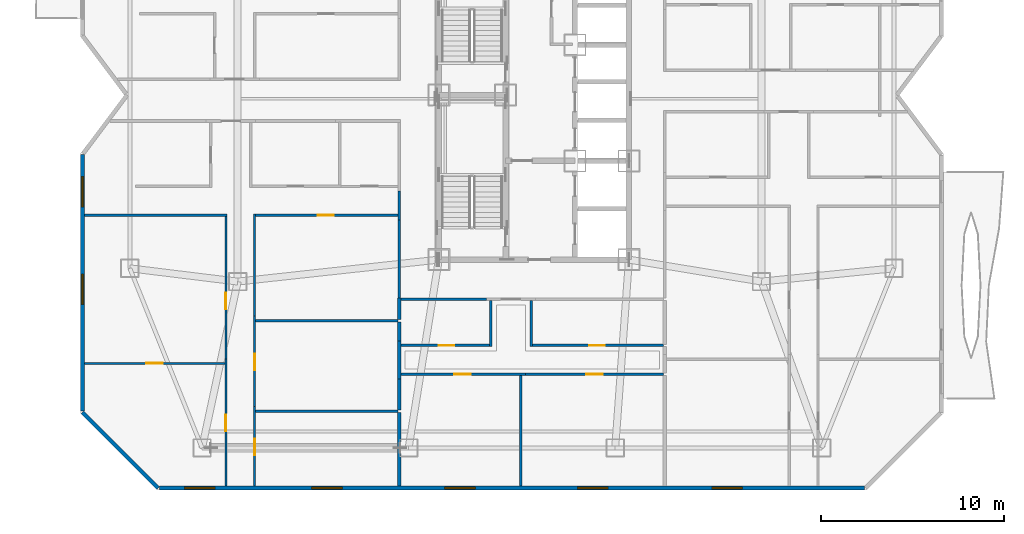
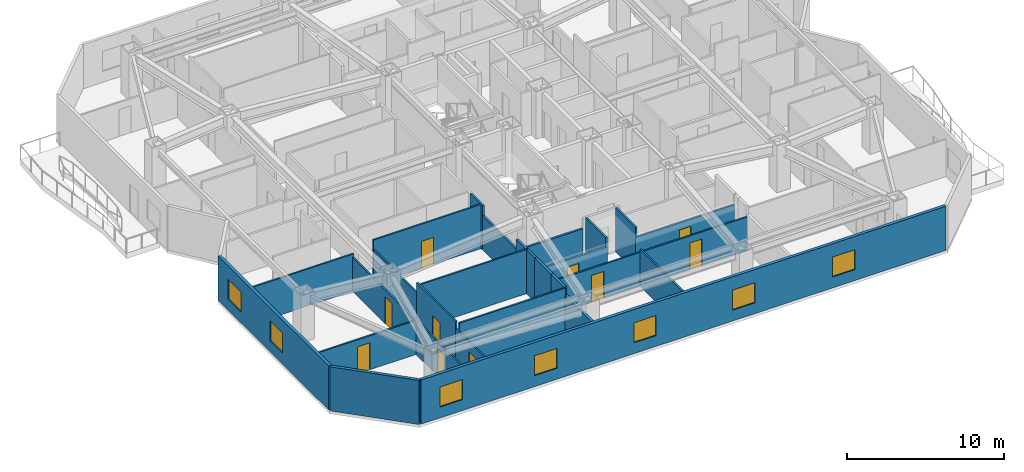
# One storey, part 7 of 15: 28 walls, 10 doors, 7 windows, 17 openings.
"""IFC4 building model written with IfcOpenShell, lengths in metres."""

from ifc_helpers import new_model, si_unit, direction, frame, frame_2d, origin, place, context, subcontext, project, spatial, rectangle, extrude, material, layer, layer_set, type_object, element, fill, save


model = new_model("IFC4")

# Units and contexts
model_context = context("Model", 3, precision=1e-05, world=origin(), true_north=direction((0.0, 1.0)))
body_context = subcontext(model_context, "Body", "Model", "MODEL_VIEW")
ifc_project = project(units=[si_unit("LENGTHUNIT", "METRE"), si_unit("AREAUNIT", "SQUARE_METRE"), si_unit("VOLUMEUNIT", "CUBIC_METRE"), si_unit("PLANEANGLEUNIT", "RADIAN"), si_unit("MASSUNIT", "GRAM", prefix="KILO")], contexts=[model_context])

# Site, building, storey
site_placement = place(None, origin())
site = spatial("IfcSite", under=ifc_project, at=site_placement, CompositionType="ELEMENT")
building_placement = place(site_placement, origin())
building = spatial("IfcBuilding", under=site, at=building_placement, Name="Khamvora Tower", CompositionType="ELEMENT")
storey_placement = place(building_placement, frame((0.0, 0.0, 101.89990234375)))
storey = spatial("IfcBuildingStorey", under=building, at=storey_placement, Name="L25", CompositionType="ELEMENT", Elevation=101.89990234375)

# Walls
ifc_material_1 = material(Name="Fire-Rated Drywall and Steel Stud", Category="steel")
ifc_layer_1 = layer(ifc_material_1, 0.14990234375)
ifc_layer_set_1 = layer_set([ifc_layer_1], Name="Fire-Rated Drywall and Steel Stud")
wall_type_1 = type_object("IfcWallType", Name="WAL-CORR-150", PredefinedType="STANDARD", material=ifc_layer_set_1)
wall_1_placement = place(storey_placement, frame((26.8349609375, 21.176025390625, 0.0), z_axis=(0.0, 0.0, 1.0), x_axis=(0.0, 1.0, 0.0)))
element("IfcWall", 1, at=wall_1_placement, inside=storey, type_object=wall_type_1, Name="L25 interior partition wall 006", PredefinedType="STANDARD", context=body_context, shape_type="SweptSolid", body=[
    extrude(rectangle(XDim=1.580078125, YDim=0.14990234375, at=frame_2d((0.7900390625, 0.0))), origin(), (0.0, 0.0, 1.0), 3.43017578125),
])
wall_2_placement = place(storey_placement, frame((26.8349609375, 16.89990234375, 0.0), z_axis=(0.0, 0.0, 1.0), x_axis=(0.0, 1.0, 0.0)))
element("IfcWall", 2, at=wall_2_placement, inside=storey, type_object=wall_type_1, Name="L25 interior partition wall 010", PredefinedType="STANDARD", context=body_context, shape_type="SweptSolid", body=[
    extrude(rectangle(XDim=4.276123046875, YDim=0.14990234375, at=frame_2d((2.13818359375, 0.0))), origin(), (0.0, 0.0, 1.0), 2.647216796875),
])
wall_3_placement = place(storey_placement, frame((31.60107421875, 16.8349609375, 0.0), z_axis=(0.0, 0.0, 1.0), x_axis=(-1.0, 0.0, 0.0)))
element("IfcWall", 3, at=wall_3_placement, inside=storey, type_object=wall_type_1, Name="L25 interior partition wall 018", PredefinedType="STANDARD", context=body_context, shape_type="SweptSolid", body=[
    extrude(rectangle(XDim=4.701171875, YDim=0.14990234375, at=frame_2d((2.3505859375, 0.0))), origin(), (0.0, 0.0, 1.0), 2.647216796875),
])
ifc_material_2 = material(Name="Acoustic Double-Stud Fire Wall", Category="gypsum")
ifc_layer_2 = layer(ifc_material_2, 0.179931640625)
ifc_layer_set_2 = layer_set([ifc_layer_2], Name="Acoustic Double-Stud Fire Wall")
wall_type_2 = type_object("IfcWallType", Name="WAL-CORR-180", PredefinedType="STANDARD", material=ifc_layer_set_2)
wall_4_placement = place(storey_placement, frame((26.8349609375, 10.638916015625, 0.0), z_axis=(0.0, 0.0, 1.0), x_axis=(0.0, -1.0, 0.0)))
element("IfcWall", 4, at=wall_4_placement, inside=storey, type_object=wall_type_2, Name="L25 interior partition wall 051", PredefinedType="STANDARD", context=body_context, shape_type="SweptSolid", body=[
    extrude(rectangle(XDim=4.02685546875, YDim=0.179931640625, at=frame_2d((2.013427734375, 0.0))), origin(), (0.0, 0.0, 1.0), 2.8759765625),
])
wall_5_placement = place(storey_placement, frame((26.8349609375, 14.553955078125, 0.0), z_axis=(0.0, 0.0, 1.0), x_axis=(0.0, -1.0, 0.0)))
element("IfcWall", 5, at=wall_5_placement, inside=storey, type_object=wall_type_2, Name="L25 interior partition wall 053", PredefinedType="STANDARD", context=body_context, shape_type="SweptSolid", body=[
    extrude(rectangle(XDim=2.077880859375, YDim=0.179931640625, at=frame_2d((1.0390625, 0.0))), origin(), (0.0, 0.0, 1.0), 3.43017578125),
])
wall_6_placement = place(storey_placement, frame((26.8349609375, 15.589111328125, 0.0), z_axis=(0.0, 0.0, 1.0), x_axis=(0.0, -1.0, 0.0)))
element("IfcWall", 6, at=wall_6_placement, inside=storey, type_object=wall_type_2, Name="L25 interior partition wall 054", PredefinedType="STANDARD", context=body_context, shape_type="SweptSolid", body=[
    extrude(rectangle(XDim=1.03515625, YDim=0.179931640625, at=frame_2d((0.517578125, 0.0))), origin(), (0.0, 0.0, 1.0), 3.43017578125),
])
wall_7_placement = place(storey_placement, frame((26.8349609375, 12.47607421875, 0.0), z_axis=(0.0, 0.0, 1.0), x_axis=(0.0, -1.0, 0.0)))
element("IfcWall", 7, at=wall_7_placement, inside=storey, type_object=wall_type_2, Name="L25 interior partition wall 055", PredefinedType="STANDARD", context=body_context, shape_type="SweptSolid", body=[
    extrude(rectangle(XDim=1.70703125, YDim=0.179931640625, at=frame_2d((0.853515625, 0.0))), origin(), (0.0, 0.0, 1.0), 3.43017578125),
])
wall_8_placement = place(storey_placement, frame((26.8349609375, 16.89990234375, 0.0), z_axis=(0.0, 0.0, 1.0), x_axis=(0.0, -1.0, 0.0)))
element("IfcWall", 8, at=wall_8_placement, inside=storey, type_object=wall_type_2, Name="L25 interior partition wall 056", PredefinedType="STANDARD", context=body_context, shape_type="SweptSolid", body=[
    extrude(rectangle(XDim=1.180908203125, YDim=0.179931640625, at=frame_2d((0.59033203125, 0.0))), origin(), (0.0, 0.0, 1.0), 3.43017578125),
])
ifc_material_3 = material(Name="Precast concrete C40/50", Category="concrete")
ifc_layer_3 = layer(ifc_material_3, 0.219970703125)
ifc_layer_set_3 = layer_set([ifc_layer_3], Name="Precast concrete C40/50")
wall_type_3 = type_object("IfcWallType", Name="WAL-EXT-220", PredefinedType="STANDARD", material=ifc_layer_set_3)
wall_9_placement = place(storey_placement, frame((13.64599609375, 6.510009765625, 0.0), z_axis=(0.0, 0.0, 1.0), x_axis=(-0.707106781187, 0.707106781187, 0.0)))
element("IfcWall", 9, at=wall_9_placement, inside=storey, type_object=wall_type_3, Name="L25 exterior facade wall 01.1", PredefinedType="STANDARD", context=body_context, shape_type="SweptSolid", body=[
    extrude(rectangle(XDim=5.84912109375, YDim=0.219970703125, at=frame_2d((2.924560546875, 0.0))), origin(), (0.0, 0.0, 1.0), 3.43017578125),
])

# Wall, openings, windows
wall_10_placement = place(storey_placement, frame((9.510009765625, 10.717041015625, 0.0), z_axis=(0.0, 0.0, 1.0), x_axis=(0.0, 1.0, 0.0)))
wall_10 = element("IfcWall", 10, at=wall_10_placement, inside=storey, type_object=wall_type_3, Name="L25 exterior facade wall 02.1", PredefinedType="STANDARD", context=body_context, shape_type="SweptSolid", body=[
    extrude(rectangle(XDim=14.0458984375, YDim=0.219970703125, at=frame_2d((7.02294921875, 0.0))), origin(), (0.0, 0.0, 1.0), 3.43017578125),
])
opening_1_placement = place(wall_10_placement, frame((11.173095703125, 0.0, 0.85009765625)))
opening_1 = element("IfcOpeningElement", 11, at=opening_1_placement, cuts=wall_10, Name="Opening WN-06", PredefinedType="OPENING", context=body_context, shape_type="SweptSolid", body=[
    extrude(rectangle(XDim=1.64990234375, YDim=1.550048828125, at=frame_2d((0.824951171875, 0.77490234375))), frame((0.0, 0.119873046875, 0.0), z_axis=(0.0, -1.0, 0.0), x_axis=(1.0, 0.0, 0.0)), (0.0, 0.0, 1.0), 0.239990234375),
])
opening_2_placement = place(wall_10_placement, frame((5.8310546875, 0.0, 0.85009765625)))
opening_2 = element("IfcOpeningElement", 12, at=opening_2_placement, cuts=wall_10, Name="Opening WN-06", PredefinedType="OPENING", context=body_context, shape_type="SweptSolid", body=[
    extrude(rectangle(XDim=1.64990234375, YDim=1.550048828125, at=frame_2d((0.824951171875, 0.77490234375))), frame((0.0, 0.119873046875, 0.0), z_axis=(0.0, -1.0, 0.0), x_axis=(1.0, 0.0, 0.0)), (0.0, 0.0, 1.0), 0.239990234375),
])
ifc_material_4 = material(Name="Low-E Laminated Double Glazing", Category="glass")
window_type = type_object("IfcWindowType", Name="WIN-VIS-1650x1550", PartitioningType="SINGLE_PANEL", PredefinedType="WINDOW", material=ifc_material_4)
window_1_placement = place(opening_1_placement, origin())
window_1 = element("IfcWindow", 13, at=window_1_placement, inside=storey, type_object=window_type, Name="L25 vision window 02.1.01", OverallHeight=1.550048828125, OverallWidth=1.64990234375, PartitioningType="SINGLE_PANEL", PredefinedType="WINDOW", context=body_context, shape_type="SweptSolid", body=[
    extrude(rectangle(XDim=1.64990234375, YDim=1.550048828125, at=frame_2d((0.824951171875, 0.77490234375))), frame((0.0, 0.030029296875, 0.0), z_axis=(0.0, -1.0, 0.0), x_axis=(1.0, 0.0, 0.0)), (0.0, 0.0, 1.0), 0.06005859375),
])
fill(opening_1, window_1)
window_2_placement = place(opening_2_placement, origin())
window_2 = element("IfcWindow", 14, at=window_2_placement, inside=storey, type_object=window_type, Name="L25 vision window 02.1.02", OverallHeight=1.550048828125, OverallWidth=1.64990234375, PartitioningType="SINGLE_PANEL", PredefinedType="WINDOW", context=body_context, shape_type="SweptSolid", body=[
    extrude(rectangle(XDim=1.64990234375, YDim=1.550048828125, at=frame_2d((0.824951171875, 0.77490234375))), frame((0.0, 0.030029296875, 0.0), z_axis=(0.0, -1.0, 0.0), x_axis=(1.0, 0.0, 0.0)), (0.0, 0.0, 1.0), 0.06005859375),
])
fill(opening_2, window_2)

wall_11_placement = place(storey_placement, frame((52.282958984375, 6.510009765625, 0.0), z_axis=(0.0, 0.0, 1.0), x_axis=(-1.0, 0.0, 0.0)))
wall_11 = element("IfcWall", 15, at=wall_11_placement, inside=storey, type_object=wall_type_3, Name="L25 exterior facade wall 14.1", PredefinedType="STANDARD", context=body_context, shape_type="SweptSolid", body=[
    extrude(rectangle(XDim=38.56787109375, YDim=0.219970703125, at=frame_2d((19.283935546875, 0.0))), origin(), (0.0, 0.0, 1.0), 3.43017578125),
])
opening_3_placement = place(wall_11_placement, frame((35.530029296875, 0.0, 0.85009765625)))
opening_3 = element("IfcOpeningElement", 16, at=opening_3_placement, cuts=wall_11, Name="Opening WN-06", PredefinedType="OPENING", context=body_context, shape_type="SweptSolid", body=[
    extrude(rectangle(XDim=1.64990234375, YDim=1.550048828125, at=frame_2d((0.824951171875, 0.77490234375))), frame((0.0, 0.119873046875, 0.0), z_axis=(0.0, -1.0, 0.0), x_axis=(1.0, 0.0, 0.0)), (0.0, 0.0, 1.0), 0.239990234375),
])
opening_4_placement = place(wall_11_placement, frame((28.577880859375, 0.0, 0.85009765625)))
opening_4 = element("IfcOpeningElement", 17, at=opening_4_placement, cuts=wall_11, Name="Opening WN-06", PredefinedType="OPENING", context=body_context, shape_type="SweptSolid", body=[
    extrude(rectangle(XDim=1.64990234375, YDim=1.550048828125, at=frame_2d((0.824951171875, 0.77490234375))), frame((0.0, 0.119873046875, 0.0), z_axis=(0.0, -1.0, 0.0), x_axis=(1.0, 0.0, 0.0)), (0.0, 0.0, 1.0), 0.239990234375),
])
opening_5_placement = place(wall_11_placement, frame((21.298095703125, 0.0, 0.85009765625)))
opening_5 = element("IfcOpeningElement", 18, at=opening_5_placement, cuts=wall_11, Name="Opening WN-06", PredefinedType="OPENING", context=body_context, shape_type="SweptSolid", body=[
    extrude(rectangle(XDim=1.64990234375, YDim=1.550048828125, at=frame_2d((0.824951171875, 0.77490234375))), frame((0.0, 0.119873046875, 0.0), z_axis=(0.0, -1.0, 0.0), x_axis=(1.0, 0.0, 0.0)), (0.0, 0.0, 1.0), 0.239990234375),
])
opening_6_placement = place(wall_11_placement, frame((14.032958984375, 0.0, 0.85009765625)))
opening_6 = element("IfcOpeningElement", 19, at=opening_6_placement, cuts=wall_11, Name="Opening WN-06", PredefinedType="OPENING", context=body_context, shape_type="SweptSolid", body=[
    extrude(rectangle(XDim=1.64990234375, YDim=1.550048828125, at=frame_2d((0.824951171875, 0.77490234375))), frame((0.0, 0.119873046875, 0.0), z_axis=(0.0, -1.0, 0.0), x_axis=(1.0, 0.0, 0.0)), (0.0, 0.0, 1.0), 0.239990234375),
])
opening_7_placement = place(wall_11_placement, frame((6.68798828125, 0.0, 0.85009765625)))
opening_7 = element("IfcOpeningElement", 20, at=opening_7_placement, cuts=wall_11, Name="Opening WN-06", PredefinedType="OPENING", context=body_context, shape_type="SweptSolid", body=[
    extrude(rectangle(XDim=1.64990234375, YDim=1.550048828125, at=frame_2d((0.824951171875, 0.77490234375))), frame((0.0, 0.119873046875, 0.0), z_axis=(0.0, -1.0, 0.0), x_axis=(1.0, 0.0, 0.0)), (0.0, 0.0, 1.0), 0.239990234375),
])
window_3_placement = place(opening_3_placement, origin())
window_3 = element("IfcWindow", 21, at=window_3_placement, inside=storey, type_object=window_type, Name="L25 vision window 14.1.01", OverallHeight=1.550048828125, OverallWidth=1.64990234375, PartitioningType="SINGLE_PANEL", PredefinedType="WINDOW", context=body_context, shape_type="SweptSolid", body=[
    extrude(rectangle(XDim=1.64990234375, YDim=1.550048828125, at=frame_2d((0.824951171875, 0.77490234375))), frame((0.0, 0.030029296875, 0.0), z_axis=(0.0, -1.0, 0.0), x_axis=(1.0, 0.0, 0.0)), (0.0, 0.0, 1.0), 0.06005859375),
])
fill(opening_3, window_3)
window_4_placement = place(opening_4_placement, origin())
window_4 = element("IfcWindow", 22, at=window_4_placement, inside=storey, type_object=window_type, Name="L25 vision window 14.1.02", OverallHeight=1.550048828125, OverallWidth=1.64990234375, PartitioningType="SINGLE_PANEL", PredefinedType="WINDOW", context=body_context, shape_type="SweptSolid", body=[
    extrude(rectangle(XDim=1.64990234375, YDim=1.550048828125, at=frame_2d((0.824951171875, 0.77490234375))), frame((0.0, 0.030029296875, 0.0), z_axis=(0.0, -1.0, 0.0), x_axis=(1.0, 0.0, 0.0)), (0.0, 0.0, 1.0), 0.06005859375),
])
fill(opening_4, window_4)
window_5_placement = place(opening_5_placement, origin())
window_5 = element("IfcWindow", 23, at=window_5_placement, inside=storey, type_object=window_type, Name="L25 vision window 14.1.03", OverallHeight=1.550048828125, OverallWidth=1.64990234375, PartitioningType="SINGLE_PANEL", PredefinedType="WINDOW", context=body_context, shape_type="SweptSolid", body=[
    extrude(rectangle(XDim=1.64990234375, YDim=1.550048828125, at=frame_2d((0.824951171875, 0.77490234375))), frame((0.0, 0.030029296875, 0.0), z_axis=(0.0, -1.0, 0.0), x_axis=(1.0, 0.0, 0.0)), (0.0, 0.0, 1.0), 0.06005859375),
])
fill(opening_5, window_5)
window_6_placement = place(opening_6_placement, origin())
window_6 = element("IfcWindow", 24, at=window_6_placement, inside=storey, type_object=window_type, Name="L25 vision window 14.1.04", OverallHeight=1.550048828125, OverallWidth=1.64990234375, PartitioningType="SINGLE_PANEL", PredefinedType="WINDOW", context=body_context, shape_type="SweptSolid", body=[
    extrude(rectangle(XDim=1.64990234375, YDim=1.550048828125, at=frame_2d((0.824951171875, 0.77490234375))), frame((0.0, 0.030029296875, 0.0), z_axis=(0.0, -1.0, 0.0), x_axis=(1.0, 0.0, 0.0)), (0.0, 0.0, 1.0), 0.06005859375),
])
fill(opening_6, window_6)
window_7_placement = place(opening_7_placement, origin())
window_7 = element("IfcWindow", 25, at=window_7_placement, inside=storey, type_object=window_type, Name="L25 vision window 14.1.05", OverallHeight=1.550048828125, OverallWidth=1.64990234375, PartitioningType="SINGLE_PANEL", PredefinedType="WINDOW", context=body_context, shape_type="SweptSolid", body=[
    extrude(rectangle(XDim=1.64990234375, YDim=1.550048828125, at=frame_2d((0.824951171875, 0.77490234375))), frame((0.0, 0.030029296875, 0.0), z_axis=(0.0, -1.0, 0.0), x_axis=(1.0, 0.0, 0.0)), (0.0, 0.0, 1.0), 0.06005859375),
])
fill(opening_7, window_7)

# Wall, opening, door
ifc_material_5 = material(Name="Gypsum Plasterboard Partition", Category="gypsum")
ifc_layer_4 = layer(ifc_material_5, 0.1201171875)
ifc_layer_set_4 = layer_set([ifc_layer_4], Name="Gypsum Plasterboard Partition")
wall_type_4 = type_object("IfcWallType", Name="WAL-PART-120", PredefinedType="PARTITIONING", material=ifc_layer_set_4)
wall_12_placement = place(storey_placement, frame((17.35498046875, 6.612060546875, 0.0), z_axis=(0.0, 0.0, 1.0), x_axis=(0.0, 1.0, 0.0)))
wall_12 = element("IfcWall", 26, at=wall_12_placement, inside=storey, type_object=wall_type_4, Name="L25 interior partition wall 042", PredefinedType="PARTITIONING", context=body_context, shape_type="SweptSolid", body=[
    extrude(rectangle(XDim=6.9580078125, YDim=0.1201171875, at=frame_2d((3.47900390625, 0.0))), origin(), (0.0, 0.0, 1.0), 2.647216796875),
])
opening_8_placement = place(wall_12_placement, frame((3.008056640625, 0.0, 0.0)))
opening_8 = element("IfcOpeningElement", 27, at=opening_8_placement, cuts=wall_12, Name="Opening D-RM1", PredefinedType="OPENING", context=body_context, shape_type="SweptSolid", body=[
    extrude(rectangle(XDim=0.89990234375, YDim=2.10009765625, at=frame_2d((0.449951171875, 1.050048828125))), frame((0.0, 0.070068359375, 0.0), z_axis=(0.0, -1.0, 0.0), x_axis=(1.0, 0.0, 0.0)), (0.0, 0.0, 1.0), 0.14013671875),
])
ifc_material_6 = material(Name="Powder-Coated Steel and Hardwood Leaf", Category="steel")
door_type_1 = type_object("IfcDoorType", Name="DOR-ROOM-900", OperationType="NOTDEFINED", PredefinedType="DOOR", material=ifc_material_6)
door_1_placement = place(opening_8_placement, origin())
door_1 = element("IfcDoor", 28, at=door_1_placement, inside=storey, type_object=door_type_1, Name="L25 interior door 25WAH-25WAR1", OperationType="SINGLE_SWING_RIGHT", OverallHeight=2.10009765625, OverallWidth=0.89990234375, PredefinedType="DOOR", context=body_context, shape_type="SweptSolid", body=[
    extrude(rectangle(XDim=0.89990234375, YDim=2.10009765625, at=frame_2d((0.449951171875, 1.050048828125))), frame((0.0, 0.02490234375, 0.0), z_axis=(0.0, -1.0, 0.0), x_axis=(1.0, 0.0, 0.0)), (0.0, 0.0, 1.0), 0.050048828125),
])
fill(opening_8, door_1)

wall_13_placement = place(storey_placement, frame((17.35498046875, 13.570068359375, 0.0), z_axis=(0.0, 0.0, 1.0), x_axis=(0.0, 1.0, 0.0)))
wall_13 = element("IfcWall", 29, at=wall_13_placement, inside=storey, type_object=wall_type_4, Name="L25 interior partition wall 043", PredefinedType="PARTITIONING", context=body_context, shape_type="SweptSolid", body=[
    extrude(rectangle(XDim=7.919921875, YDim=0.1201171875, at=frame_2d((3.9599609375, 0.0))), origin(), (0.0, 0.0, 1.0), 2.647216796875),
])
opening_9_placement = place(wall_13_placement, frame((2.716064453125, 0.0, 0.0)))
opening_9 = element("IfcOpeningElement", 30, at=opening_9_placement, cuts=wall_13, Name="Opening D-RM1", PredefinedType="OPENING", context=body_context, shape_type="SweptSolid", body=[
    extrude(rectangle(XDim=0.89990234375, YDim=2.10009765625, at=frame_2d((0.449951171875, 1.050048828125))), frame((0.0, 0.070068359375, 0.0), z_axis=(0.0, -1.0, 0.0), x_axis=(1.0, 0.0, 0.0)), (0.0, 0.0, 1.0), 0.14013671875),
])
door_2_placement = place(opening_9_placement, origin())
door_2 = element("IfcDoor", 31, at=door_2_placement, inside=storey, type_object=door_type_1, Name="L25 interior door 25WAH-25WAR2", OperationType="SINGLE_SWING_LEFT", OverallHeight=2.10009765625, OverallWidth=0.89990234375, PredefinedType="DOOR", context=body_context, shape_type="SweptSolid", body=[
    extrude(rectangle(XDim=0.89990234375, YDim=2.10009765625, at=frame_2d((0.449951171875, 1.050048828125))), frame((0.0, 0.02490234375, 0.0), z_axis=(0.0, -1.0, 0.0), x_axis=(1.0, 0.0, 0.0)), (0.0, 0.0, 1.0), 0.050048828125),
])
fill(opening_9, door_2)

# Wall
wall_14_placement = place(storey_placement, frame((17.419921875, 21.425048828125, 0.0), z_axis=(0.0, 0.0, 1.0), x_axis=(-1.0, 0.0, 0.0)))
element("IfcWall", 32, at=wall_14_placement, inside=storey, type_object=wall_type_4, Name="L25 interior partition wall 044", PredefinedType="PARTITIONING", context=body_context, shape_type="SweptSolid", body=[
    extrude(rectangle(XDim=7.807861328125, YDim=0.1201171875, at=frame_2d((3.90380859375, 0.0))), origin(), (0.0, 0.0, 1.0), 2.8759765625),
])

# Wall, opening, door
wall_15_placement = place(storey_placement, frame((18.925048828125, 10.952880859375, 0.0), z_axis=(0.0, 0.0, 1.0), x_axis=(0.0, -1.0, 0.0)))
wall_15 = element("IfcWall", 33, at=wall_15_placement, inside=storey, type_object=wall_type_4, Name="L25 interior partition wall 045", PredefinedType="PARTITIONING", context=body_context, shape_type="SweptSolid", body=[
    extrude(rectangle(XDim=4.3408203125, YDim=0.1201171875, at=frame_2d((2.17041015625, 0.0))), origin(), (0.0, 0.0, 1.0), 2.8759765625),
])
opening_10_placement = place(wall_15_placement, frame((1.741943359375, 0.0, 0.0)))
opening_10 = element("IfcOpeningElement", 34, at=opening_10_placement, cuts=wall_15, Name="Opening D-RM1", PredefinedType="OPENING", context=body_context, shape_type="SweptSolid", body=[
    extrude(rectangle(XDim=0.89990234375, YDim=2.10009765625, at=frame_2d((0.449951171875, 1.050048828125))), frame((0.0, 0.070068359375, 0.0), z_axis=(0.0, -1.0, 0.0), x_axis=(1.0, 0.0, 0.0)), (0.0, 0.0, 1.0), 0.14013671875),
])
door_3_placement = place(opening_10_placement, origin())
door_3 = element("IfcDoor", 35, at=door_3_placement, inside=storey, type_object=door_type_1, Name="L25 interior door 25WAH-25WAR3", OperationType="SINGLE_SWING_RIGHT", OverallHeight=2.10009765625, OverallWidth=0.89990234375, PredefinedType="DOOR", context=body_context, shape_type="SweptSolid", body=[
    extrude(rectangle(XDim=0.89990234375, YDim=2.10009765625, at=frame_2d((0.449951171875, 1.050048828125))), frame((0.0, 0.02490234375, 0.0), z_axis=(0.0, -1.0, 0.0), x_axis=(1.0, 0.0, 0.0)), (0.0, 0.0, 1.0), 0.050048828125),
])
fill(opening_10, door_3)

wall_16_placement = place(storey_placement, frame((18.925048828125, 15.903076171875, 0.0), z_axis=(0.0, 0.0, 1.0), x_axis=(0.0, -1.0, 0.0)))
wall_16 = element("IfcWall", 36, at=wall_16_placement, inside=storey, type_object=wall_type_4, Name="L25 interior partition wall 046", PredefinedType="PARTITIONING", context=body_context, shape_type="SweptSolid", body=[
    extrude(rectangle(XDim=4.9501953125, YDim=0.1201171875, at=frame_2d((2.47509765625, 0.0))), origin(), (0.0, 0.0, 1.0), 3.43017578125),
])
opening_11_placement = place(wall_16_placement, frame((2.0458984375, 0.0, 0.0)))
opening_11 = element("IfcOpeningElement", 37, at=opening_11_placement, cuts=wall_16, Name="Opening D-RM1", PredefinedType="OPENING", context=body_context, shape_type="SweptSolid", body=[
    extrude(rectangle(XDim=0.89990234375, YDim=2.10009765625, at=frame_2d((0.449951171875, 1.050048828125))), frame((0.0, 0.070068359375, 0.0), z_axis=(0.0, -1.0, 0.0), x_axis=(1.0, 0.0, 0.0)), (0.0, 0.0, 1.0), 0.14013671875),
])
door_4_placement = place(opening_11_placement, origin())
door_4 = element("IfcDoor", 38, at=door_4_placement, inside=storey, type_object=door_type_1, Name="L25 interior door 25WAH-25WAR4", OperationType="SINGLE_SWING_LEFT", OverallHeight=2.10009765625, OverallWidth=0.89990234375, PredefinedType="DOOR", context=body_context, shape_type="SweptSolid", body=[
    extrude(rectangle(XDim=0.89990234375, YDim=2.10009765625, at=frame_2d((0.449951171875, 1.050048828125))), frame((0.0, 0.02490234375, 0.0), z_axis=(0.0, -1.0, 0.0), x_axis=(1.0, 0.0, 0.0)), (0.0, 0.0, 1.0), 0.050048828125),
])
fill(opening_11, door_4)

wall_17_placement = place(storey_placement, frame((26.77001953125, 21.425048828125, 0.0), z_axis=(0.0, 0.0, 1.0), x_axis=(-1.0, 0.0, 0.0)))
wall_17 = element("IfcWall", 39, at=wall_17_placement, inside=storey, type_object=wall_type_4, Name="L25 interior partition wall 047", PredefinedType="PARTITIONING", context=body_context, shape_type="SweptSolid", body=[
    extrude(rectangle(XDim=7.909912109375, YDim=0.1201171875, at=frame_2d((3.955078125, 0.0))), origin(), (0.0, 0.0, 1.0), 3.43017578125),
])
opening_12_placement = place(wall_17_placement, frame((3.5048828125, 0.0, 0.0)))
opening_12 = element("IfcOpeningElement", 40, at=opening_12_placement, cuts=wall_17, Name="Opening D-RM1", PredefinedType="OPENING", context=body_context, shape_type="SweptSolid", body=[
    extrude(rectangle(XDim=0.89990234375, YDim=2.10009765625, at=frame_2d((0.449951171875, 1.050048828125))), frame((0.0, 0.070068359375, 0.0), z_axis=(0.0, -1.0, 0.0), x_axis=(1.0, 0.0, 0.0)), (0.0, 0.0, 1.0), 0.14013671875),
])
door_5_placement = place(opening_12_placement, origin())
door_5 = element("IfcDoor", 41, at=door_5_placement, inside=storey, type_object=door_type_1, Name="L25 interior door 25WAH-25WAR5", OperationType="SINGLE_SWING_RIGHT", OverallHeight=2.10009765625, OverallWidth=0.89990234375, PredefinedType="DOOR", context=body_context, shape_type="SweptSolid", body=[
    extrude(rectangle(XDim=0.89990234375, YDim=2.10009765625, at=frame_2d((0.449951171875, 1.050048828125))), frame((0.0, 0.02490234375, 0.0), z_axis=(0.0, -1.0, 0.0), x_axis=(1.0, 0.0, 0.0)), (0.0, 0.0, 1.0), 0.050048828125),
])
fill(opening_12, door_5)

# Wall
wall_18_placement = place(storey_placement, frame((18.925048828125, 21.489990234375, 0.0), z_axis=(0.0, 0.0, 1.0), x_axis=(0.0, -1.0, 0.0)))
element("IfcWall", 42, at=wall_18_placement, inside=storey, type_object=wall_type_4, Name="L25 interior partition wall 048", PredefinedType="PARTITIONING", context=body_context, shape_type="SweptSolid", body=[
    extrude(rectangle(XDim=5.5869140625, YDim=0.1201171875, at=frame_2d((2.79345703125, 0.0))), origin(), (0.0, 0.0, 1.0), 2.647216796875),
])

# Wall, opening, door
wall_19_placement = place(storey_placement, frame((9.612060546875, 13.321044921875, 0.0), z_axis=(0.0, 0.0, 1.0), x_axis=(1.0, 0.0, 0.0)))
wall_19 = element("IfcWall", 43, at=wall_19_placement, inside=storey, type_object=wall_type_4, Name="L25 interior partition wall 049", PredefinedType="PARTITIONING", context=body_context, shape_type="SweptSolid", body=[
    extrude(rectangle(XDim=7.68896484375, YDim=0.1201171875, at=frame_2d((3.844482421875, 0.0))), origin(), (0.0, 0.0, 1.0), 2.647216796875),
])
opening_13_placement = place(wall_19_placement, frame((3.39404296875, 0.0, 0.0)))
opening_13 = element("IfcOpeningElement", 44, at=opening_13_placement, cuts=wall_19, Name="Opening D-RM1", PredefinedType="OPENING", context=body_context, shape_type="SweptSolid", body=[
    extrude(rectangle(XDim=0.89990234375, YDim=2.10009765625, at=frame_2d((0.449951171875, 1.050048828125))), frame((0.0, 0.070068359375, 0.0), z_axis=(0.0, -1.0, 0.0), x_axis=(1.0, 0.0, 0.0)), (0.0, 0.0, 1.0), 0.14013671875),
])
door_6_placement = place(opening_13_placement, origin())
door_6 = element("IfcDoor", 45, at=door_6_placement, inside=storey, type_object=door_type_1, Name="L25 interior door 25WAR1-25WAR2", OperationType="SINGLE_SWING_LEFT", OverallHeight=2.10009765625, OverallWidth=0.89990234375, PredefinedType="DOOR", context=body_context, shape_type="SweptSolid", body=[
    extrude(rectangle(XDim=0.89990234375, YDim=2.10009765625, at=frame_2d((0.449951171875, 1.050048828125))), frame((0.0, 0.02490234375, 0.0), z_axis=(0.0, -1.0, 0.0), x_axis=(1.0, 0.0, 0.0)), (0.0, 0.0, 1.0), 0.050048828125),
])
fill(opening_13, door_6)

# Walls
for number, where, z_axis, x_axis, name in (
    (46, (18.97900390625, 10.7041015625, 0.0), (0.0, 0.0, 1.0), (1.0, 0.0, 0.0), "L25 interior partition wall 050"),
    (47, (18.97900390625, 15.654052734375, 0.0), (0.0, 0.0, 1.0), (1.0, 0.0, 0.0), "L25 interior partition wall 052"),
):
    element("IfcWall", number, at=place(storey_placement, frame(where, z_axis=z_axis, x_axis=x_axis)), inside=storey, type_object=wall_type_4, Name=name, PredefinedType="PARTITIONING", context=body_context, shape_type="SweptSolid", body=[
        extrude(rectangle(XDim=7.791015625, YDim=0.1201171875, at=frame_2d((3.8955078125, 0.0))), origin(), (0.0, 0.0, 1.0), 3.43017578125),
    ])

# Wall, opening, door
wall_20_placement = place(storey_placement, frame((33.73388671875, 12.72509765625, 0.0), z_axis=(0.0, 0.0, 1.0), x_axis=(-1.0, 0.0, 0.0)))
wall_20 = element("IfcWall", 48, at=wall_20_placement, inside=storey, type_object=wall_type_4, Name="L25 interior partition wall 080", PredefinedType="PARTITIONING", context=body_context, shape_type="SweptSolid", body=[
    extrude(rectangle(XDim=6.81689453125, YDim=0.1201171875, at=frame_2d((3.408447265625, 0.0))), origin(), (0.0, 0.0, 1.0), 2.647216796875),
])
opening_14_placement = place(wall_20_placement, frame((2.97998046875, 0.0, 0.0)))
opening_14 = element("IfcOpeningElement", 49, at=opening_14_placement, cuts=wall_20, Name="Opening D-RM1", PredefinedType="OPENING", context=body_context, shape_type="SweptSolid", body=[
    extrude(rectangle(XDim=0.89990234375, YDim=2.10009765625, at=frame_2d((0.449951171875, 1.050048828125))), frame((0.0, 0.070068359375, 0.0), z_axis=(0.0, -1.0, 0.0), x_axis=(1.0, 0.0, 0.0)), (0.0, 0.0, 1.0), 0.14013671875),
])
door_7_placement = place(opening_14_placement, origin())
door_7 = element("IfcDoor", 50, at=door_7_placement, inside=storey, type_object=door_type_1, Name="L25 interior door 25SAH-25SAR1", OperationType="SINGLE_SWING_LEFT", OverallHeight=2.10009765625, OverallWidth=0.89990234375, PredefinedType="DOOR", context=body_context, shape_type="SweptSolid", body=[
    extrude(rectangle(XDim=0.89990234375, YDim=2.10009765625, at=frame_2d((0.449951171875, 1.050048828125))), frame((0.0, 0.02490234375, 0.0), z_axis=(0.0, -1.0, 0.0), x_axis=(1.0, 0.0, 0.0)), (0.0, 0.0, 1.0), 0.050048828125),
])
fill(opening_14, door_7)

wall_21_placement = place(storey_placement, frame((41.300048828125, 12.72509765625, 0.0), z_axis=(0.0, 0.0, 1.0), x_axis=(-1.0, 0.0, 0.0)))
wall_21 = element("IfcWall", 51, at=wall_21_placement, inside=storey, type_object=wall_type_4, Name="L25 interior partition wall 081", PredefinedType="PARTITIONING", context=body_context, shape_type="SweptSolid", body=[
    extrude(rectangle(XDim=7.566162109375, YDim=0.1201171875, at=frame_2d((3.783203125, 0.0))), origin(), (0.0, 0.0, 1.0), 2.647216796875),
])
opening_15_placement = place(wall_21_placement, frame((3.3330078125, 0.0, 0.0)))
opening_15 = element("IfcOpeningElement", 52, at=opening_15_placement, cuts=wall_21, Name="Opening D-RM1", PredefinedType="OPENING", context=body_context, shape_type="SweptSolid", body=[
    extrude(rectangle(XDim=0.89990234375, YDim=2.10009765625, at=frame_2d((0.449951171875, 1.050048828125))), frame((0.0, 0.070068359375, 0.0), z_axis=(0.0, -1.0, 0.0), x_axis=(1.0, 0.0, 0.0)), (0.0, 0.0, 1.0), 0.14013671875),
])
door_8_placement = place(opening_15_placement, origin())
door_8 = element("IfcDoor", 53, at=door_8_placement, inside=storey, type_object=door_type_1, Name="L25 interior door 25SAH-25SAR2", OperationType="SINGLE_SWING_RIGHT", OverallHeight=2.10009765625, OverallWidth=0.89990234375, PredefinedType="DOOR", context=body_context, shape_type="SweptSolid", body=[
    extrude(rectangle(XDim=0.89990234375, YDim=2.10009765625, at=frame_2d((0.449951171875, 1.050048828125))), frame((0.0, 0.02490234375, 0.0), z_axis=(0.0, -1.0, 0.0), x_axis=(1.0, 0.0, 0.0)), (0.0, 0.0, 1.0), 0.050048828125),
])
fill(opening_15, door_8)

# Wall
wall_22_placement = place(storey_placement, frame((33.48388671875, 12.6708984375, 0.0), z_axis=(0.0, 0.0, 1.0), x_axis=(0.0, -1.0, 0.0)))
element("IfcWall", 54, at=wall_22_placement, inside=storey, type_object=wall_type_4, Name="L25 interior partition wall 085", PredefinedType="PARTITIONING", context=body_context, shape_type="SweptSolid", body=[
    extrude(rectangle(XDim=6.058837890625, YDim=0.1201171875, at=frame_2d((3.029296875, 0.0))), origin(), (0.0, 0.0, 1.0), 2.8759765625),
])

# Wall, opening, door
ifc_material_7 = material(Name="Moisture-Resistant Plasterboard Partition", Category="gypsum")
ifc_layer_5 = layer(ifc_material_7, 0.135009765625)
ifc_layer_set_5 = layer_set([ifc_layer_5], Name="Moisture-Resistant Plasterboard Partition")
wall_type_5 = type_object("IfcWallType", Name="WAL-WET-135", PredefinedType="PARTITIONING", material=ifc_layer_set_5)
wall_23_placement = place(storey_placement, frame((26.9169921875, 14.304931640625, 0.0), z_axis=(0.0, 0.0, 1.0), x_axis=(1.0, 0.0, 0.0)))
wall_23 = element("IfcWall", 55, at=wall_23_placement, inside=storey, type_object=wall_type_5, Name="L25 interior partition wall 076", PredefinedType="PARTITIONING", context=body_context, shape_type="SweptSolid", body=[
    extrude(rectangle(XDim=4.998046875, YDim=0.135009765625, at=frame_2d((2.4990234375, 0.0))), origin(), (0.0, 0.0, 1.0), 2.647216796875),
])
opening_16_placement = place(wall_23_placement, frame((2.073974609375, 0.0, 0.0)))
opening_16 = element("IfcOpeningElement", 56, at=opening_16_placement, cuts=wall_23, Name="Opening D-WC1", PredefinedType="OPENING", context=body_context, shape_type="SweptSolid", body=[
    extrude(rectangle(XDim=0.85009765625, YDim=2.10009765625, at=frame_2d((0.425048828125, 1.050048828125))), frame((0.0, 0.077392578125, 0.0), z_axis=(0.0, -1.0, 0.0), x_axis=(1.0, 0.0, 0.0)), (0.0, 0.0, 1.0), 0.155029296875),
])
door_type_2 = type_object("IfcDoorType", Name="DOR-WET-850", OperationType="NOTDEFINED", PredefinedType="DOOR", material=ifc_material_6)
door_9_placement = place(opening_16_placement, origin())
door_9 = element("IfcDoor", 57, at=door_9_placement, inside=storey, type_object=door_type_2, Name="L25 interior door 25SAH-25SAB", OperationType="SINGLE_SWING_LEFT", OverallHeight=2.10009765625, OverallWidth=0.85009765625, PredefinedType="DOOR", context=body_context, shape_type="SweptSolid", body=[
    extrude(rectangle(XDim=0.85009765625, YDim=2.10009765625, at=frame_2d((0.425048828125, 1.050048828125))), frame((0.0, 0.02490234375, 0.0), z_axis=(0.0, -1.0, 0.0), x_axis=(1.0, 0.0, 0.0)), (0.0, 0.0, 1.0), 0.050048828125),
])
fill(opening_16, door_9)

# Walls
for number, where, z_axis, x_axis, name in (
    (58, (31.85009765625, 14.239990234375, 0.0), (0.0, 0.0, 1.0), (0.0, 1.0, 0.0), "L25 interior partition wall 077"),
    (59, (34.050048828125, 16.77001953125, 0.0), (0.0, 0.0, 1.0), (0.0, -1.0, 0.0), "L25 interior partition wall 078"),
):
    element("IfcWall", number, at=place(storey_placement, frame(where, z_axis=z_axis, x_axis=x_axis)), inside=storey, type_object=wall_type_5, Name=name, PredefinedType="PARTITIONING", context=body_context, shape_type="SweptSolid", body=[
        extrude(rectangle(XDim=2.530029296875, YDim=0.135009765625, at=frame_2d((1.26513671875, 0.0))), origin(), (0.0, 0.0, 1.0), 3.43017578125),
    ])

# Wall, opening, door
wall_24_placement = place(storey_placement, frame((33.985107421875, 14.304931640625, 0.0), z_axis=(0.0, 0.0, 1.0), x_axis=(1.0, 0.0, 0.0)))
wall_24 = element("IfcWall", 60, at=wall_24_placement, inside=storey, type_object=wall_type_5, Name="L25 interior partition wall 079", PredefinedType="PARTITIONING", context=body_context, shape_type="SweptSolid", body=[
    extrude(rectangle(XDim=7.31494140625, YDim=0.135009765625, at=frame_2d((3.657470703125, 0.0))), origin(), (0.0, 0.0, 1.0), 2.647216796875),
])
opening_17_placement = place(wall_24_placement, frame((3.23291015625, 0.0, 0.0)))
opening_17 = element("IfcOpeningElement", 61, at=opening_17_placement, cuts=wall_24, Name="Opening D-RM2", PredefinedType="OPENING", context=body_context, shape_type="SweptSolid", body=[
    extrude(rectangle(XDim=0.85009765625, YDim=2.10009765625, at=frame_2d((0.425048828125, 1.050048828125))), frame((0.0, 0.077392578125, 0.0), z_axis=(0.0, -1.0, 0.0), x_axis=(1.0, 0.0, 0.0)), (0.0, 0.0, 1.0), 0.155029296875),
])
door_type_3 = type_object("IfcDoorType", Name="DOR-ROOM-850", OperationType="NOTDEFINED", PredefinedType="DOOR", material=ifc_material_6)
door_10_placement = place(opening_17_placement, origin())
door_10 = element("IfcDoor", 62, at=door_10_placement, inside=storey, type_object=door_type_3, Name="L25 interior door 25SAH-25SAK", OperationType="SINGLE_SWING_RIGHT", OverallHeight=2.10009765625, OverallWidth=0.85009765625, PredefinedType="DOOR", context=body_context, shape_type="SweptSolid", body=[
    extrude(rectangle(XDim=0.85009765625, YDim=2.10009765625, at=frame_2d((0.425048828125, 1.050048828125))), frame((0.0, 0.02490234375, 0.0), z_axis=(0.0, -1.0, 0.0), x_axis=(1.0, 0.0, 0.0)), (0.0, 0.0, 1.0), 0.050048828125),
])
fill(opening_17, door_10)

save(model, "model.ifc")
